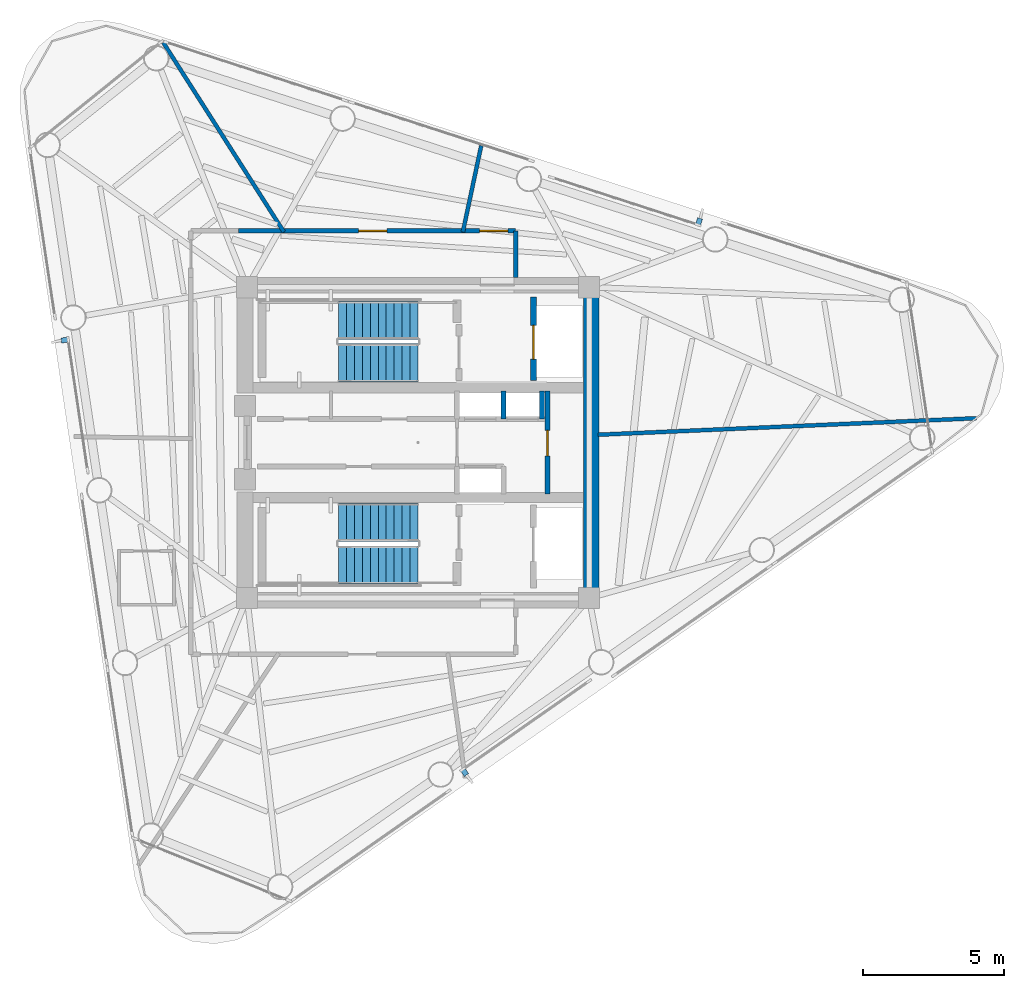
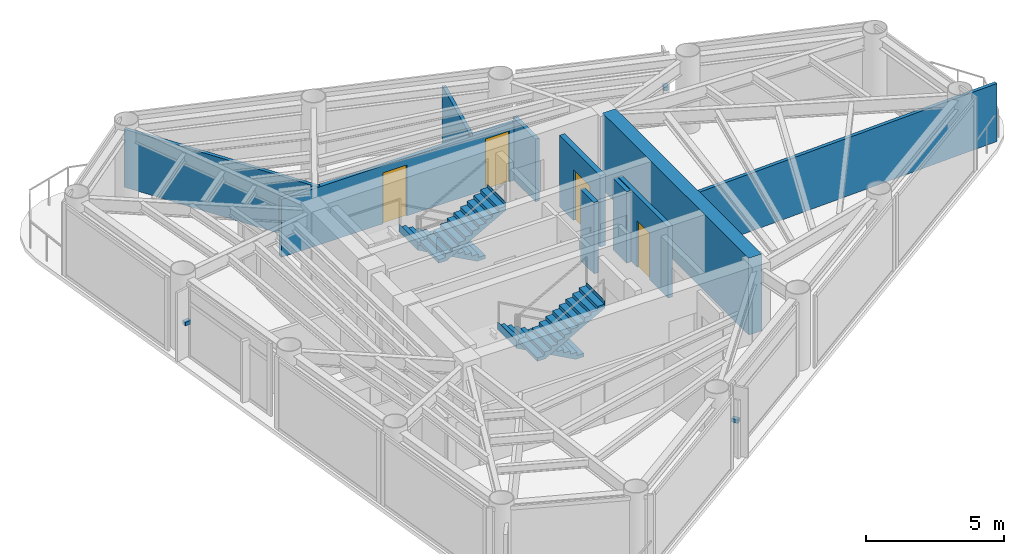
# One storey, part 6 of 9: 10 walls, 4 doors, 4 stair flights, 3 discrete accessories, 4 openings, 2 elements without a shape of their own.
"""IFC4 building model written with IfcOpenShell, lengths in metres."""

from ifc_helpers import new_model, si_unit, direction, frame, frame_2d, origin, origin_2d, place, context, subcontext, project, spatial, polyline, rectangle, outline, extrude, source, transform, mapped, material, layer, layer_set, type_object, element, fill, aggregate, save


model = new_model("IFC4")

# Units and contexts
model_context = context("Model", 3, precision=1e-05, world=origin(), true_north=direction((0.0, 1.0)))
body_context = subcontext(model_context, "Body", "Model", "MODEL_VIEW")
ifc_project = project(units=[si_unit("LENGTHUNIT", "METRE"), si_unit("AREAUNIT", "SQUARE_METRE"), si_unit("VOLUMEUNIT", "CUBIC_METRE"), si_unit("PLANEANGLEUNIT", "RADIAN"), si_unit("MASSUNIT", "GRAM", prefix="KILO")], contexts=[model_context])

# Site, building, storey
site_placement = place(None, origin())
site = spatial("IfcSite", under=ifc_project, at=site_placement, CompositionType="ELEMENT")
building_placement = place(site_placement, origin())
building = spatial("IfcBuilding", under=site, at=building_placement, Name="Yunling Apex Tower", CompositionType="ELEMENT")
storey_placement = place(building_placement, frame((0.0, 0.0, 281.35009765625)))
storey = spatial("IfcBuildingStorey", under=building, at=storey_placement, Name="L69", CompositionType="ELEMENT", Elevation=281.35009765625)

# Wall
ifc_material_1 = material(Name="Concrete C40", Category="concrete")
ifc_layer_1 = layer(ifc_material_1, 0.550048828125)
ifc_layer_set_1 = layer_set([ifc_layer_1], Name="Concrete C40")
wall_type_1 = type_object("IfcWallType", Name="WL-COR-3", PredefinedType="SHEAR", material=ifc_layer_set_1)
wall_1_placement = place(storey_placement, frame((6.125, -5.300048828125, 0.0), z_axis=(0.0, 0.0, 1.0), x_axis=(0.0, 1.0, 0.0)))
element("IfcWall", 1, at=wall_1_placement, inside=storey, type_object=wall_type_1, Name="L69 East Core Shear Wall", PredefinedType="SHEAR", context=body_context, shape_type="SweptSolid", body=[
    extrude(rectangle(XDim=10.60009765625, YDim=0.550048828125, at=frame_2d((5.300048828125, 0.0))), origin(), (0.0, 0.0, 1.0), 3.39990234375),
])

# Wall, openings, doors
ifc_material_2 = material(Name="Gypsum board acoustic partition")
ifc_layer_2 = layer(ifc_material_2, 0.159912109375)
ifc_layer_set_2 = layer_set([ifc_layer_2], Name="Gypsum board acoustic partition")
wall_type_2 = type_object("IfcWallType", Name="WL-PRT-1", PredefinedType="PARTITIONING", material=ifc_layer_set_2)
wall_2_placement = place(storey_placement, frame((-6.360107421875, 7.489990234375, 0.0), z_axis=(0.0, 0.0, 1.0), x_axis=(1.0, 0.0, 0.0)))
wall_2 = element("IfcWall", 2, at=wall_2_placement, inside=storey, type_object=wall_type_2, Name="WL-CORR-L69-03", PredefinedType="PARTITIONING", context=body_context, shape_type="SweptSolid", body=[
    extrude(rectangle(XDim=9.81005859375, YDim=0.159912109375, at=frame_2d((4.905029296875, 0.0))), origin(), (0.0, 0.0, 1.0), 2.56494140625),
])
opening_1_placement = place(wall_2_placement, frame((4.25341796875, 0.0, 0.0)))
opening_1 = element("IfcOpeningElement", 3, at=opening_1_placement, cuts=wall_2, Name="Opening DR-OFF-1", PredefinedType="OPENING", context=body_context, shape_type="SweptSolid", body=[
    extrude(rectangle(XDim=1.0, YDim=2.25, at=frame_2d((0.5, 1.125))), frame((0.0, 0.08984375, 0.0), z_axis=(0.0, -1.0, 0.0), x_axis=(1.0, 0.0, 0.0)), (0.0, 0.0, 1.0), 0.179931640625),
])
opening_2_placement = place(wall_2_placement, frame((8.53955078125, 0.0, 0.0)))
opening_2 = element("IfcOpeningElement", 4, at=opening_2_placement, cuts=wall_2, Name="Opening DR-OFF-1", PredefinedType="OPENING", context=body_context, shape_type="SweptSolid", body=[
    extrude(rectangle(XDim=1.0, YDim=2.25, at=frame_2d((0.5, 1.125))), frame((0.0, 0.08984375, 0.0), z_axis=(0.0, -1.0, 0.0), x_axis=(1.0, 0.0, 0.0)), (0.0, 0.0, 1.0), 0.179931640625),
])
ifc_material_3 = material(Name="Bronze anodised aluminium", Category="aluminium")
door_type_1 = type_object("IfcDoorType", Name="DR-OFF-1", OperationType="NOTDEFINED", PredefinedType="DOOR", material=ifc_material_3)
door_1_placement = place(opening_1_placement, origin())
door_1 = element("IfcDoor", 5, at=door_1_placement, inside=storey, type_object=door_type_1, Name="L69 Concierge Reception Foyer Door", OperationType="SINGLE_SWING_RIGHT", OverallHeight=2.25, OverallWidth=1.0, PredefinedType="DOOR", context=body_context, shape_type="SweptSolid", body=[
    extrude(rectangle(XDim=1.0, YDim=2.25, at=frame_2d((0.5, 1.125))), frame((0.0, 0.02490234375, 0.0), z_axis=(0.0, -1.0, 0.0), x_axis=(1.0, 0.0, 0.0)), (0.0, 0.0, 1.0), 0.050048828125),
])
fill(opening_1, door_1)
door_2_placement = place(opening_2_placement, origin())
door_2 = element("IfcDoor", 6, at=door_2_placement, inside=storey, type_object=door_type_1, Name="L69 Private Tea Kitchen Door", OperationType="SINGLE_SWING_LEFT", OverallHeight=2.25, OverallWidth=1.0, PredefinedType="DOOR", context=body_context, shape_type="SweptSolid", body=[
    extrude(rectangle(XDim=1.0, YDim=2.25, at=frame_2d((0.5, 1.125))), frame((0.0, 0.02490234375, 0.0), z_axis=(0.0, -1.0, 0.0), x_axis=(1.0, 0.0, 0.0)), (0.0, 0.0, 1.0), 0.050048828125),
])
fill(opening_2, door_2)

# Walls
wall_3_placement = place(storey_placement, frame((3.449951171875, 7.489990234375, 0.0), z_axis=(0.0, 0.0, 1.0), x_axis=(0.0, -1.0, 0.0)))
element("IfcWall", 7, at=wall_3_placement, inside=storey, type_object=wall_type_2, Name="WL-CORR-L69-04", PredefinedType="PARTITIONING", context=body_context, shape_type="SweptSolid", body=[
    extrude(rectangle(XDim=1.639892578125, YDim=0.159912109375, at=frame_2d((0.81982421875, 0.0))), origin(), (0.0, 0.0, 1.0), 2.764892578125),
])
ifc_layer_3 = layer(ifc_material_2, 0.139892578125)
ifc_layer_set_3 = layer_set([ifc_layer_3], Name="Gypsum board acoustic partition")
wall_type_3 = type_object("IfcWallType", Name="WL-PRT-2", PredefinedType="PARTITIONING", material=ifc_layer_set_3)
wall_4_placement = place(storey_placement, frame((6.360107421875, 0.277587890625, 0.0), z_axis=(0.0, 0.0, 1.0), x_axis=(0.999047617824, 0.043633213494, 0.0)))
element("IfcWall", 8, at=wall_4_placement, inside=storey, type_object=wall_type_3, Name="WL-RAD-L69-01", PredefinedType="PARTITIONING", context=body_context, shape_type="SweptSolid", body=[
    extrude(rectangle(XDim=13.40625, YDim=0.139892578125, at=frame_2d((6.703125, 0.0))), origin(), (0.0, 0.0, 1.0), 2.56494140625),
])
wall_5_placement = place(storey_placement, frame((1.58349609375, 7.449951171875, 0.0), z_axis=(0.0, 0.0, 1.0), x_axis=(0.20788492722, 0.978153289129, 0.0)))
element("IfcWall", 9, at=wall_5_placement, inside=storey, type_object=wall_type_3, Name="WL-RAD-L69-02", PredefinedType="PARTITIONING", context=body_context, shape_type="SweptSolid", body=[
    extrude(rectangle(XDim=3.1240234375, YDim=0.139892578125, at=frame_2d((1.56201171875, 0.0))), origin(), (0.0, 0.0, 1.0), 2.724853515625),
])
wall_6_placement = place(storey_placement, frame((-4.74609375, 7.449951171875, 0.0), z_axis=(0.0, 0.0, 1.0), x_axis=(-0.537302825122, 0.843389396492, 0.0)))
element("IfcWall", 10, at=wall_6_placement, inside=storey, type_object=wall_type_3, Name="WL-RAD-L69-03", PredefinedType="PARTITIONING", context=body_context, shape_type="SweptSolid", body=[
    extrude(rectangle(XDim=7.94677734375, YDim=0.139892578125, at=frame_2d((3.973388671875, 0.0))), origin(), (0.0, 0.0, 1.0), 2.56494140625),
])

# Wall, opening, door
ifc_material_4 = material(Name="Autoclaved aerated concrete masonry", Category="masonry")
ifc_layer_4 = layer(ifc_material_4, 0.219970703125)
ifc_layer_set_4 = layer_set([ifc_layer_4], Name="Autoclaved aerated concrete masonry")
wall_type_4 = type_object("IfcWallType", Name="WL-SHF-1", PredefinedType="PLUMBINGWALL", material=ifc_layer_set_4)
wall_7_placement = place(storey_placement, frame((4.080078125, 2.199951171875, 0.0), z_axis=(0.0, 0.0, 1.0), x_axis=(0.0, 1.0, 0.0)))
wall_7 = element("IfcWall", 11, at=wall_7_placement, inside=storey, type_object=wall_type_4, Name="WL-FFL1-W-L69", PredefinedType="PLUMBINGWALL", context=body_context, shape_type="SweptSolid", body=[
    extrude(rectangle(XDim=2.949951171875, YDim=0.219970703125, at=frame_2d((1.47509765625, 0.0))), origin(), (0.0, 0.0, 1.0), 3.159912109375),
])
opening_3_placement = place(wall_7_placement, frame((0.75, 0.0, 0.0)))
opening_3 = element("IfcOpeningElement", 12, at=opening_3_placement, cuts=wall_7, Name="Opening LD-FFL-1", PredefinedType="OPENING", context=body_context, shape_type="SweptSolid", body=[
    extrude(rectangle(XDim=1.199951171875, YDim=2.25, at=frame_2d((0.60009765625, 1.125))), frame((0.0, 0.1201171875, 0.0), z_axis=(0.0, -1.0, 0.0), x_axis=(1.0, 0.0, 0.0)), (0.0, 0.0, 1.0), 0.239990234375),
])
ifc_material_5 = material(Name="Steel Q355B", Category="steel")
door_type_2 = type_object("IfcDoorType", Name="LD-FFL-1", OperationType="DOUBLE_DOOR_SLIDING", PredefinedType="DOOR", material=ifc_material_5)
door_3_placement = place(opening_3_placement, origin())
door_3 = element("IfcDoor", 13, at=door_3_placement, inside=storey, type_object=door_type_2, Name="L69 Lift FFL-1 Landing Door", OperationType="DOUBLE_DOOR_SLIDING", OverallHeight=2.25, OverallWidth=1.199951171875, PredefinedType="DOOR", context=body_context, shape_type="SweptSolid", body=[
    extrude(rectangle(XDim=1.199951171875, YDim=2.25, at=frame_2d((0.60009765625, 1.125))), frame((0.0, 0.02490234375, 0.0), z_axis=(0.0, -1.0, 0.0), x_axis=(1.0, 0.0, 0.0)), (0.0, 0.0, 1.0), 0.050048828125),
])
fill(opening_3, door_3)

# Walls
ifc_layer_5 = layer(ifc_material_4, 0.179931640625)
ifc_layer_set_5 = layer_set([ifc_layer_5], Name="Autoclaved aerated concrete masonry")
wall_type_5 = type_object("IfcWallType", Name="WL-SHF-2", PredefinedType="PLUMBINGWALL", material=ifc_layer_set_5)
for number, where, z_axis, x_axis, name in (
    (14, (3.02001953125, 0.840087890625, 0.0), (0.0, 0.0, 1.0), (0.0, 1.0, 0.0), "WL-DIV-H13-L69"),
    (15, (4.3798828125, 0.840087890625, 0.0), (0.0, 0.0, 1.0), (0.0, 1.0, 0.0), "WL-END-H3E-L69"),
):
    element("IfcWall", number, at=place(storey_placement, frame(where, z_axis=z_axis, x_axis=x_axis)), inside=storey, type_object=wall_type_5, Name=name, PredefinedType="PLUMBINGWALL", context=body_context, shape_type="SweptSolid", body=[
        extrude(rectangle(XDim=0.97998046875, YDim=0.179931640625, at=frame_2d((0.489990234375, 0.0))), origin(), (0.0, 0.0, 1.0), 3.159912109375),
    ])

# Wall, opening, door
wall_8_placement = place(storey_placement, frame((4.580078125, -1.820068359375, 0.0), z_axis=(0.0, 0.0, 1.0), x_axis=(0.0, 1.0, 0.0)))
wall_8 = element("IfcWall", 16, at=wall_8_placement, inside=storey, type_object=wall_type_5, Name="WL-KBE-W-L69", PredefinedType="PLUMBINGWALL", context=body_context, shape_type="SweptSolid", body=[
    extrude(rectangle(XDim=3.64013671875, YDim=0.179931640625, at=frame_2d((1.820068359375, 0.0))), origin(), (0.0, 0.0, 1.0), 3.159912109375),
])
opening_4_placement = place(wall_8_placement, frame((1.35009765625, 0.0, 0.0)))
opening_4 = element("IfcOpeningElement", 17, at=opening_4_placement, cuts=wall_8, Name="Opening DR-SHF-1", PredefinedType="OPENING", context=body_context, shape_type="SweptSolid", body=[
    extrude(rectangle(XDim=0.89990234375, YDim=2.050048828125, at=frame_2d((0.449951171875, 1.02490234375))), frame((0.0, 0.10009765625, 0.0), z_axis=(0.0, -1.0, 0.0), x_axis=(1.0, 0.0, 0.0)), (0.0, 0.0, 1.0), 0.199951171875),
])
door_type_3 = type_object("IfcDoorType", Name="DR-SHF-1", OperationType="NOTDEFINED", PredefinedType="DOOR", material=ifc_material_5)
door_4_placement = place(opening_4_placement, origin())
door_4 = element("IfcDoor", 18, at=door_4_placement, inside=storey, type_object=door_type_3, Name="L69 Core Meter Room Door", OperationType="SINGLE_SWING_RIGHT", OverallHeight=2.050048828125, OverallWidth=0.89990234375, PredefinedType="DOOR", context=body_context, shape_type="SweptSolid", body=[
    extrude(rectangle(XDim=0.89990234375, YDim=2.050048828125, at=frame_2d((0.449951171875, 1.02490234375))), frame((0.0, 0.02490234375, 0.0), z_axis=(0.0, -1.0, 0.0), x_axis=(1.0, 0.0, 0.0)), (0.0, 0.0, 1.0), 0.050048828125),
])
fill(opening_4, door_4)

# Stair, stair flights
stair_type = type_object("IfcStairType", Name="ST-TWR-3", PredefinedType="HALF_TURN_STAIR", material=ifc_material_1)
stair_1_placement = place(storey_placement, origin())
stair_1 = element("IfcStair", 19, at=stair_1_placement, inside=storey, type_object=stair_type, Name="L69 North Core Smokeproof Exit Stair ST-1", PredefinedType="HALF_TURN_STAIR")
stair_flight_type = type_object("IfcStairFlightType", Name="SFL-TWR-3", PredefinedType="STRAIGHT", material=ifc_material_1)
stair_flight_1_placement = place(storey_placement, frame((-0.010009765625, 4.330078125, 0.0), z_axis=(0.0, 0.0, 1.0), x_axis=(-1.0, 0.0, 0.0)))
stair_flight_1 = element("IfcStairFlight", 20, at=stair_flight_1_placement, type_object=stair_flight_type, Name="ST-1 flight 1", NumberOfRisers=11, NumberOfTreads=10, PredefinedType="STRAIGHT", RiserHeight=0.154545455, TreadLength=0.28, context=body_context, shape_type="SweptSolid", body=[
    extrude(outline(polyline([(-0.011962890625, 0.0), (-0.011962890625, 0.154541015625), (0.0, 0.154541015625), (0.280029296875, 0.154541015625), (0.280029296875, 0.30908203125), (0.56005859375, 0.30908203125), (0.56005859375, 0.463623046875), (0.840087890625, 0.463623046875), (0.840087890625, 0.6181640625), (1.1201171875, 0.6181640625), (1.1201171875, 0.772705078125), (1.39990234375, 0.772705078125), (1.39990234375, 0.92724609375), (1.679931640625, 0.92724609375), (1.679931640625, 1.081787109375), (1.9599609375, 1.081787109375), (1.9599609375, 1.236328125), (2.239990234375, 1.236328125), (2.239990234375, 1.390869140625), (2.52001953125, 1.390869140625), (2.52001953125, 1.54541015625), (2.800048828125, 1.54541015625), (2.800048828125, 1.699951171875), (2.81201171875, 1.699951171875), (2.81201171875, 1.36279296875), (0.330810546875, 0.0), (-0.011962890625, 0.0)])), frame((0.0, 0.68017578125, 0.0), z_axis=(0.0, -1.0, 0.0), x_axis=(1.0, 0.0, 0.0)), (0.0, 0.0, 1.0), 1.360107421875),
])
stair_flight_2_placement = place(storey_placement, frame((-2.81005859375, 2.820068359375, 1.699951171875), z_axis=(0.0, 0.0, 1.0), x_axis=(1.0, 0.0, 0.0)))
stair_flight_2 = element("IfcStairFlight", 21, at=stair_flight_2_placement, type_object=stair_flight_type, Name="ST-1 flight 2", NumberOfRisers=11, NumberOfTreads=10, PredefinedType="STRAIGHT", RiserHeight=0.154545455, TreadLength=0.28, context=body_context, shape_type="SweptSolid", body=[
    extrude(outline(polyline([(-0.011962890625, 0.0), (-0.011962890625, 0.154541015625), (0.0, 0.154541015625), (0.280029296875, 0.154541015625), (0.280029296875, 0.30908203125), (0.56005859375, 0.30908203125), (0.56005859375, 0.463623046875), (0.840087890625, 0.463623046875), (0.840087890625, 0.6181640625), (1.1201171875, 0.6181640625), (1.1201171875, 0.772705078125), (1.39990234375, 0.772705078125), (1.39990234375, 0.92724609375), (1.679931640625, 0.92724609375), (1.679931640625, 1.081787109375), (1.9599609375, 1.081787109375), (1.9599609375, 1.236328125), (2.239990234375, 1.236328125), (2.239990234375, 1.390869140625), (2.52001953125, 1.390869140625), (2.52001953125, 1.54541015625), (2.800048828125, 1.54541015625), (2.800048828125, 1.699951171875), (2.81201171875, 1.699951171875), (2.81201171875, 1.36279296875), (0.330810546875, 0.0), (-0.011962890625, 0.0)])), frame((0.0, 0.68017578125, 0.0), z_axis=(0.0, -1.0, 0.0), x_axis=(1.0, 0.0, 0.0)), (0.0, 0.0, 1.0), 1.360107421875),
])
aggregate(stair_1, [stair_flight_1, stair_flight_2])

stair_2_placement = place(storey_placement, origin())
stair_2 = element("IfcStair", 22, at=stair_2_placement, inside=storey, type_object=stair_type, Name="L69 South Core Smokeproof Exit Stair ST-2", PredefinedType="HALF_TURN_STAIR")
stair_flight_3_placement = place(storey_placement, frame((-0.010009765625, -2.820068359375, 0.0), z_axis=(0.0, 0.0, 1.0), x_axis=(-1.0, 0.0, 0.0)))
stair_flight_3 = element("IfcStairFlight", 23, at=stair_flight_3_placement, type_object=stair_flight_type, Name="ST-2 flight 1", NumberOfRisers=11, NumberOfTreads=10, PredefinedType="STRAIGHT", RiserHeight=0.154545455, TreadLength=0.28, context=body_context, shape_type="SweptSolid", body=[
    extrude(outline(polyline([(-0.011962890625, 0.0), (-0.011962890625, 0.154541015625), (0.0, 0.154541015625), (0.280029296875, 0.154541015625), (0.280029296875, 0.30908203125), (0.56005859375, 0.30908203125), (0.56005859375, 0.463623046875), (0.840087890625, 0.463623046875), (0.840087890625, 0.6181640625), (1.1201171875, 0.6181640625), (1.1201171875, 0.772705078125), (1.39990234375, 0.772705078125), (1.39990234375, 0.92724609375), (1.679931640625, 0.92724609375), (1.679931640625, 1.081787109375), (1.9599609375, 1.081787109375), (1.9599609375, 1.236328125), (2.239990234375, 1.236328125), (2.239990234375, 1.390869140625), (2.52001953125, 1.390869140625), (2.52001953125, 1.54541015625), (2.800048828125, 1.54541015625), (2.800048828125, 1.699951171875), (2.81201171875, 1.699951171875), (2.81201171875, 1.36279296875), (0.330810546875, 0.0), (-0.011962890625, 0.0)])), frame((0.0, 0.68017578125, 0.0), z_axis=(0.0, -1.0, 0.0), x_axis=(1.0, 0.0, 0.0)), (0.0, 0.0, 1.0), 1.360107421875),
])
stair_flight_4_placement = place(storey_placement, frame((-2.81005859375, -4.330078125, 1.699951171875), z_axis=(0.0, 0.0, 1.0), x_axis=(1.0, 0.0, 0.0)))
stair_flight_4 = element("IfcStairFlight", 24, at=stair_flight_4_placement, type_object=stair_flight_type, Name="ST-2 flight 2", NumberOfRisers=11, NumberOfTreads=10, PredefinedType="STRAIGHT", RiserHeight=0.154545455, TreadLength=0.28, context=body_context, shape_type="SweptSolid", body=[
    extrude(outline(polyline([(-0.011962890625, 0.0), (-0.011962890625, 0.154541015625), (0.0, 0.154541015625), (0.280029296875, 0.154541015625), (0.280029296875, 0.30908203125), (0.56005859375, 0.30908203125), (0.56005859375, 0.463623046875), (0.840087890625, 0.463623046875), (0.840087890625, 0.6181640625), (1.1201171875, 0.6181640625), (1.1201171875, 0.772705078125), (1.39990234375, 0.772705078125), (1.39990234375, 0.92724609375), (1.679931640625, 0.92724609375), (1.679931640625, 1.081787109375), (1.9599609375, 1.081787109375), (1.9599609375, 1.236328125), (2.239990234375, 1.236328125), (2.239990234375, 1.390869140625), (2.52001953125, 1.390869140625), (2.52001953125, 1.54541015625), (2.800048828125, 1.54541015625), (2.800048828125, 1.699951171875), (2.81201171875, 1.699951171875), (2.81201171875, 1.36279296875), (0.330810546875, 0.0), (-0.011962890625, 0.0)])), frame((0.0, 0.68017578125, 0.0), z_axis=(0.0, -1.0, 0.0), x_axis=(1.0, 0.0, 0.0)), (0.0, 0.0, 1.0), 1.360107421875),
])
aggregate(stair_2, [stair_flight_3, stair_flight_4])

# Discrete accessories
discrete_accessory_type = type_object("IfcDiscreteAccessoryType", Name="BK-FIN-1", PredefinedType="BRACKET", material=ifc_material_5)
shared_shape = source(origin(), body_context, "Body", "SweptSolid", [
    extrude(rectangle(XDim=0.179931640625, YDim=0.260009765625, at=origin_2d()), origin(), (0.0, 0.0, 1.0), 0.159912109375),
])
for number, where, z_axis, x_axis, name in (
    (25, (1.638427734375, -11.656982421875, 1.509765625), (0.0, 0.0, 1.0), (0.819552276527, 0.573004420611, 0.0), "CW-L69-F1-B2-BRK-01-1"),
    (26, (9.938720703125, 7.80810546875, 1.509765625), (0.0, 0.0, 1.0), (-0.951272019071, 0.30835295642, 0.0), "CW-L69-F2-B2-BRK-01-1"),
    (27, (-12.492919921875, 3.630615234375, 1.509765625), (0.0, 0.0, 1.0), (0.14780941113, -0.989015863362, 0.0), "CW-L69-F3-B2-BRK-01-1"),
):
    element("IfcDiscreteAccessory", number, at=place(storey_placement, frame(where, z_axis=z_axis, x_axis=x_axis)), inside=storey, type_object=discrete_accessory_type, Name=name, PredefinedType="BRACKET", context=body_context, shape_type="MappedRepresentation", body=[
        mapped(shared_shape, transform((0.0, 0.0, 0.0), scale=1.0)),
    ])

save(model, "model.ifc")
